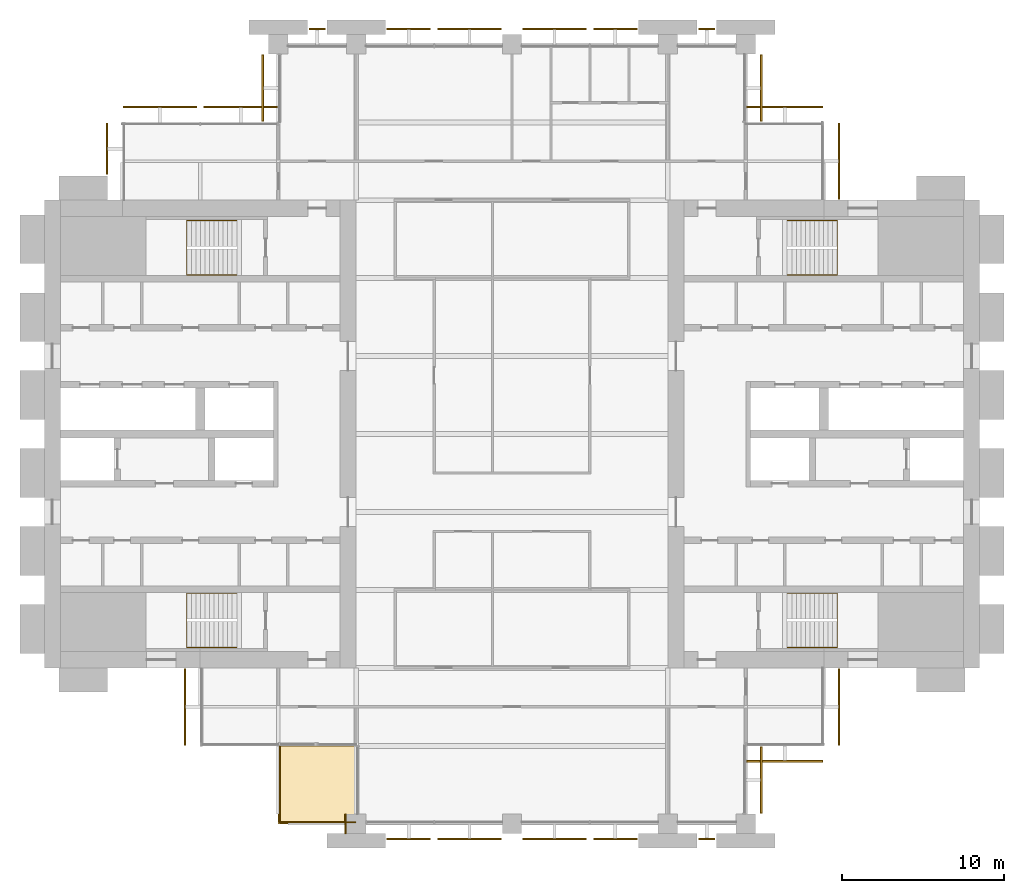
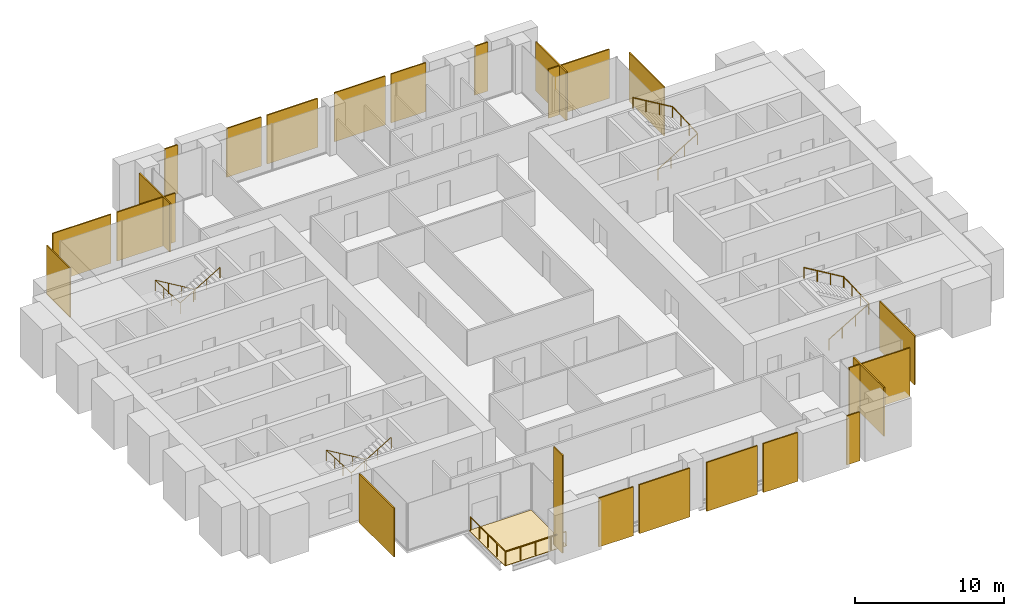
# One storey, part 14 of 14: 24 coverings, 5 railings.
"""IFC4 building model written with IfcOpenShell, lengths in metres."""

from ifc_helpers import new_model, si_unit, direction, frame, origin, origin_2d, place, context, subcontext, project, spatial, polyline, rectangle, circle, outline, extrude, material, layer, layer_set, type_object, element, save


model = new_model("IFC4")

# Units and contexts
model_context = context("Model", 3, precision=1e-05, world=origin(), true_north=direction((0.0, 1.0)))
body_context = subcontext(model_context, "Body", "Model", "MODEL_VIEW")
ifc_project = project(units=[si_unit("LENGTHUNIT", "METRE"), si_unit("AREAUNIT", "SQUARE_METRE"), si_unit("VOLUMEUNIT", "CUBIC_METRE"), si_unit("PLANEANGLEUNIT", "RADIAN"), si_unit("MASSUNIT", "GRAM", prefix="KILO")], contexts=[model_context])

# Site, building, storey
site_placement = place(None, origin())
site = spatial("IfcSite", under=ifc_project, at=site_placement, CompositionType="ELEMENT")
building_placement = place(site_placement, origin())
building = spatial("IfcBuilding", under=site, at=building_placement, Name="Baori Bourse Tower", CompositionType="ELEMENT")
storey_placement = place(building_placement, frame((0.0, 0.0, 148.10009765625)))
storey = spatial("IfcBuildingStorey", under=building, at=storey_placement, Name="L32", CompositionType="ELEMENT", Elevation=148.10009765625)

# Railings
ifc_material_1 = material(Name="Powder-coated steel balustrade", Category="steel")
railing_type_1 = type_object("IfcRailingType", Name="Core stair handrail", PredefinedType="HANDRAIL", material=ifc_material_1)
railing_1_placement = place(storey_placement, frame((11.85009765625, 14.199951171875, 0.16650390625)))
element("IfcRailing", 1, at=railing_1_placement, inside=storey, type_object=railing_type_1, Name="L32 ST1 stair handrail 1", PredefinedType="HANDRAIL", context=body_context, shape_type="SweptSolid", body=[
    extrude(circle(Radius=0.02392578125, at=origin_2d()), frame((0.0, 0.0, 0.8759765625), z_axis=(-0.85927862911, 0.0, 0.511507807912), x_axis=(0.0, -1.0, 0.0)), (0.0, 0.0, 1.0), 3.58447265625),
    extrude(circle(Radius=0.02392578125, at=origin_2d()), frame((-3.080078125, 0.0, 2.70947265625), z_axis=(0.0, -0.998766999029, 0.049643545903), x_axis=(1.0, 0.0, 0.0)), (0.0, 0.0, 1.0), 3.35400390625),
    extrude(circle(Radius=0.02392578125, at=origin_2d()), frame((-3.080078125, -3.349853515625, 2.8759765625), z_axis=(0.85927862911, 0.0, 0.511507807912), x_axis=(0.0, 1.0, 0.0)), (0.0, 0.0, 1.0), 3.58447265625),
    extrude(circle(Radius=0.02099609375, at=origin_2d()), origin(), (0.0, 0.0, 1.0), 0.851806640625),
    extrude(circle(Radius=0.02099609375, at=origin_2d()), frame((-1.026611328125, 0.0, 0.611083984375)), (0.0, 0.0, 1.0), 0.851806640625),
    extrude(circle(Radius=0.02099609375, at=origin_2d()), frame((-2.053466796875, 0.0, 1.222412109375)), (0.0, 0.0, 1.0), 0.851806640625),
    extrude(circle(Radius=0.02099609375, at=origin_2d()), frame((-3.080078125, 0.0, 1.83349609375)), (0.0, 0.0, 1.0), 0.851806640625),
    extrude(circle(Radius=0.02099609375, at=origin_2d()), frame((-3.080078125, -1.11669921875, 1.888916015625)), (0.0, 0.0, 1.0), 0.851806640625),
    extrude(circle(Radius=0.02099609375, at=origin_2d()), frame((-3.080078125, -2.233154296875, 1.944580078125)), (0.0, 0.0, 1.0), 0.851806640625),
    extrude(circle(Radius=0.02099609375, at=origin_2d()), frame((-3.080078125, -3.349853515625, 2.0)), (0.0, 0.0, 1.0), 0.851806640625),
    extrude(circle(Radius=0.02099609375, at=origin_2d()), frame((-2.053466796875, -3.349853515625, 2.611083984375)), (0.0, 0.0, 1.0), 0.851806640625),
    extrude(circle(Radius=0.02099609375, at=origin_2d()), frame((-1.026611328125, -3.349853515625, 3.222412109375)), (0.0, 0.0, 1.0), 0.851806640625),
    extrude(circle(Radius=0.02099609375, at=origin_2d()), frame((0.0, -3.349853515625, 3.83349609375)), (0.0, 0.0, 1.0), 0.851806640625),
])
railing_2_placement = place(storey_placement, frame((11.85009765625, 37.14990234375, 0.16650390625)))
element("IfcRailing", 2, at=railing_2_placement, inside=storey, type_object=railing_type_1, Name="L32 ST2 stair handrail 1", PredefinedType="HANDRAIL", context=body_context, shape_type="SweptSolid", body=[
    extrude(circle(Radius=0.02392578125, at=origin_2d()), frame((0.0, 0.0, 0.8759765625), z_axis=(-0.85927862911, 0.0, 0.511507807912), x_axis=(0.0, -1.0, 0.0)), (0.0, 0.0, 1.0), 3.58447265625),
    extrude(circle(Radius=0.02392578125, at=origin_2d()), frame((-3.080078125, 0.0, 2.70947265625), z_axis=(0.0, -0.998766999029, 0.049643545903), x_axis=(1.0, 0.0, 0.0)), (0.0, 0.0, 1.0), 3.35400390625),
    extrude(circle(Radius=0.02392578125, at=origin_2d()), frame((-3.080078125, -3.349853515625, 2.8759765625), z_axis=(0.85927862911, 0.0, 0.511507807912), x_axis=(0.0, 1.0, 0.0)), (0.0, 0.0, 1.0), 3.58447265625),
    extrude(circle(Radius=0.02099609375, at=origin_2d()), origin(), (0.0, 0.0, 1.0), 0.851806640625),
    extrude(circle(Radius=0.02099609375, at=origin_2d()), frame((-1.026611328125, 0.0, 0.611083984375)), (0.0, 0.0, 1.0), 0.851806640625),
    extrude(circle(Radius=0.02099609375, at=origin_2d()), frame((-2.053466796875, 0.0, 1.222412109375)), (0.0, 0.0, 1.0), 0.851806640625),
    extrude(circle(Radius=0.02099609375, at=origin_2d()), frame((-3.080078125, 0.0, 1.83349609375)), (0.0, 0.0, 1.0), 0.851806640625),
    extrude(circle(Radius=0.02099609375, at=origin_2d()), frame((-3.080078125, -1.11669921875, 1.888916015625)), (0.0, 0.0, 1.0), 0.851806640625),
    extrude(circle(Radius=0.02099609375, at=origin_2d()), frame((-3.080078125, -2.233154296875, 1.944580078125)), (0.0, 0.0, 1.0), 0.851806640625),
    extrude(circle(Radius=0.02099609375, at=origin_2d()), frame((-3.080078125, -3.349853515625, 2.0)), (0.0, 0.0, 1.0), 0.851806640625),
    extrude(circle(Radius=0.02099609375, at=origin_2d()), frame((-2.053466796875, -3.349853515625, 2.611083984375)), (0.0, 0.0, 1.0), 0.851806640625),
    extrude(circle(Radius=0.02099609375, at=origin_2d()), frame((-1.026611328125, -3.349853515625, 3.222412109375)), (0.0, 0.0, 1.0), 0.851806640625),
    extrude(circle(Radius=0.02099609375, at=origin_2d()), frame((0.0, -3.349853515625, 3.83349609375)), (0.0, 0.0, 1.0), 0.851806640625),
])
railing_3_placement = place(storey_placement, frame((45.75, 10.85009765625, 0.16650390625)))
element("IfcRailing", 3, at=railing_3_placement, inside=storey, type_object=railing_type_1, Name="L32 ST3 stair handrail 1", PredefinedType="HANDRAIL", context=body_context, shape_type="SweptSolid", body=[
    extrude(circle(Radius=0.02392578125, at=origin_2d()), frame((0.0, 0.0, 0.8759765625), z_axis=(0.85927862911, 0.0, 0.511507807912), x_axis=(0.0, 1.0, 0.0)), (0.0, 0.0, 1.0), 3.58447265625),
    extrude(circle(Radius=0.02392578125, at=origin_2d()), frame((3.080078125, 0.0, 2.70947265625), z_axis=(0.0, 0.998766999029, 0.049643545903), x_axis=(-1.0, 0.0, 0.0)), (0.0, 0.0, 1.0), 3.35400390625),
    extrude(circle(Radius=0.02392578125, at=origin_2d()), frame((3.080078125, 3.349853515625, 2.8759765625), z_axis=(-0.85927862911, 0.0, 0.511507807912), x_axis=(0.0, -1.0, 0.0)), (0.0, 0.0, 1.0), 3.58447265625),
    extrude(circle(Radius=0.02099609375, at=origin_2d()), origin(), (0.0, 0.0, 1.0), 0.851806640625),
    extrude(circle(Radius=0.02099609375, at=origin_2d()), frame((1.026611328125, 0.0, 0.611083984375)), (0.0, 0.0, 1.0), 0.851806640625),
    extrude(circle(Radius=0.02099609375, at=origin_2d()), frame((2.053466796875, 0.0, 1.222412109375)), (0.0, 0.0, 1.0), 0.851806640625),
    extrude(circle(Radius=0.02099609375, at=origin_2d()), frame((3.080078125, 0.0, 1.83349609375)), (0.0, 0.0, 1.0), 0.851806640625),
    extrude(circle(Radius=0.02099609375, at=origin_2d()), frame((3.080078125, 1.11669921875, 1.888916015625)), (0.0, 0.0, 1.0), 0.851806640625),
    extrude(circle(Radius=0.02099609375, at=origin_2d()), frame((3.080078125, 2.233154296875, 1.944580078125)), (0.0, 0.0, 1.0), 0.851806640625),
    extrude(circle(Radius=0.02099609375, at=origin_2d()), frame((3.080078125, 3.349853515625, 2.0)), (0.0, 0.0, 1.0), 0.851806640625),
    extrude(circle(Radius=0.02099609375, at=origin_2d()), frame((2.053466796875, 3.349853515625, 2.611083984375)), (0.0, 0.0, 1.0), 0.851806640625),
    extrude(circle(Radius=0.02099609375, at=origin_2d()), frame((1.026611328125, 3.349853515625, 3.222412109375)), (0.0, 0.0, 1.0), 0.851806640625),
    extrude(circle(Radius=0.02099609375, at=origin_2d()), frame((0.0, 3.349853515625, 3.83349609375)), (0.0, 0.0, 1.0), 0.851806640625),
])
railing_4_placement = place(storey_placement, frame((45.75, 33.800048828125, 0.16650390625)))
element("IfcRailing", 4, at=railing_4_placement, inside=storey, type_object=railing_type_1, Name="L32 ST4 stair handrail 1", PredefinedType="HANDRAIL", context=body_context, shape_type="SweptSolid", body=[
    extrude(circle(Radius=0.02392578125, at=origin_2d()), frame((0.0, 0.0, 0.8759765625), z_axis=(0.85927862911, 0.0, 0.511507807912), x_axis=(0.0, 1.0, 0.0)), (0.0, 0.0, 1.0), 3.58447265625),
    extrude(circle(Radius=0.02392578125, at=origin_2d()), frame((3.080078125, 0.0, 2.70947265625), z_axis=(0.0, 0.998766999029, 0.049643545903), x_axis=(-1.0, 0.0, 0.0)), (0.0, 0.0, 1.0), 3.35400390625),
    extrude(circle(Radius=0.02392578125, at=origin_2d()), frame((3.080078125, 3.349853515625, 2.8759765625), z_axis=(-0.85927862911, 0.0, 0.511507807912), x_axis=(0.0, -1.0, 0.0)), (0.0, 0.0, 1.0), 3.58447265625),
    extrude(circle(Radius=0.02099609375, at=origin_2d()), origin(), (0.0, 0.0, 1.0), 0.851806640625),
    extrude(circle(Radius=0.02099609375, at=origin_2d()), frame((1.026611328125, 0.0, 0.611083984375)), (0.0, 0.0, 1.0), 0.851806640625),
    extrude(circle(Radius=0.02099609375, at=origin_2d()), frame((2.053466796875, 0.0, 1.222412109375)), (0.0, 0.0, 1.0), 0.851806640625),
    extrude(circle(Radius=0.02099609375, at=origin_2d()), frame((3.080078125, 0.0, 1.83349609375)), (0.0, 0.0, 1.0), 0.851806640625),
    extrude(circle(Radius=0.02099609375, at=origin_2d()), frame((3.080078125, 1.11669921875, 1.888916015625)), (0.0, 0.0, 1.0), 0.851806640625),
    extrude(circle(Radius=0.02099609375, at=origin_2d()), frame((3.080078125, 2.233154296875, 1.944580078125)), (0.0, 0.0, 1.0), 0.851806640625),
    extrude(circle(Radius=0.02099609375, at=origin_2d()), frame((3.080078125, 3.349853515625, 2.0)), (0.0, 0.0, 1.0), 0.851806640625),
    extrude(circle(Radius=0.02099609375, at=origin_2d()), frame((2.053466796875, 3.349853515625, 2.611083984375)), (0.0, 0.0, 1.0), 0.851806640625),
    extrude(circle(Radius=0.02099609375, at=origin_2d()), frame((1.026611328125, 3.349853515625, 3.222412109375)), (0.0, 0.0, 1.0), 0.851806640625),
    extrude(circle(Radius=0.02099609375, at=origin_2d()), frame((0.0, 3.349853515625, 3.83349609375)), (0.0, 0.0, 1.0), 0.851806640625),
])
ifc_material_2 = material(Name="Stainless steel", Category="steel")
railing_type_2 = type_object("IfcRailingType", Name="GD1 Guard", PredefinedType="GUARDRAIL", material=ifc_material_2)
railing_5_placement = place(storey_placement, frame((19.169921875, 0.10009765625, 0.039794921875)))
element("IfcRailing", 5, at=railing_5_placement, inside=storey, type_object=railing_type_2, Name="Guard terrace SW L32 1", PredefinedType="GUARDRAIL", context=body_context, shape_type="SweptSolid", body=[
    extrude(circle(Radius=0.02392578125, at=origin_2d()), frame((0.0, 0.0, 1.076171875), z_axis=(-1.0, 0.0, 0.0), x_axis=(0.0, -1.0, 0.0)), (0.0, 0.0, 1.0), 4.669921875),
    extrude(circle(Radius=0.02392578125, at=origin_2d()), frame((-4.669921875, 0.0, 1.076171875), z_axis=(0.0, 1.0, 0.0), x_axis=(-1.0, 0.0, 0.0)), (0.0, 0.0, 1.0), 4.669921875),
    extrude(circle(Radius=0.02099609375, at=origin_2d()), origin(), (0.0, 0.0, 1.0), 1.052001953125),
    extrude(circle(Radius=0.02099609375, at=origin_2d()), frame((-1.16748046875, 0.0, 0.0)), (0.0, 0.0, 1.0), 1.052001953125),
    extrude(circle(Radius=0.02099609375, at=origin_2d()), frame((-2.3349609375, 0.0, 0.0)), (0.0, 0.0, 1.0), 1.052001953125),
    extrude(circle(Radius=0.02099609375, at=origin_2d()), frame((-3.50244140625, 0.0, 0.0)), (0.0, 0.0, 1.0), 1.052001953125),
    extrude(circle(Radius=0.02099609375, at=origin_2d()), frame((-4.669921875, 0.0, 0.0)), (0.0, 0.0, 1.0), 1.052001953125),
    extrude(circle(Radius=0.02099609375, at=origin_2d()), frame((-4.669921875, 1.16748046875, 0.0)), (0.0, 0.0, 1.0), 1.052001953125),
    extrude(circle(Radius=0.02099609375, at=origin_2d()), frame((-4.669921875, 2.3349609375, 0.0)), (0.0, 0.0, 1.0), 1.052001953125),
    extrude(circle(Radius=0.02099609375, at=origin_2d()), frame((-4.669921875, 3.50244140625, 0.0)), (0.0, 0.0, 1.0), 1.052001953125),
    extrude(circle(Radius=0.02099609375, at=origin_2d()), frame((-4.669921875, 4.669921875, 0.0)), (0.0, 0.0, 1.0), 1.052001953125),
])

# Coverings
ifc_material_3 = material(Name="Pale anodised aluminium", Category="aluminium")
ifc_layer_1 = layer(ifc_material_3, 0.10009765625)
ifc_layer_set_1 = layer_set([ifc_layer_1], Name="OS3 Outer skin screen panel")
covering_type_1 = type_object("IfcCoveringType", Name="OS3 Outer skin screen panel", PredefinedType="CLADDING", material=ifc_layer_set_1)
covering_1_placement = place(storey_placement, frame((0.0, 0.0, -0.16015625)))
element("IfcCovering", 6, at=covering_1_placement, inside=storey, type_object=covering_type_1, Name="Outer skin screen L32 1", PredefinedType="CLADDING", context=body_context, shape_type="SweptSolid", body=[
    extrude(outline(polyline([(48.89990234375, 43.14990234375), (48.89990234375, 38.449951171875), (49.0, 38.449951171875), (49.0, 43.14990234375), (48.89990234375, 43.14990234375)])), origin(), (0.0, 0.0, 1.0), 4.0),
])
covering_2_placement = place(storey_placement, frame((0.0, 0.0, -0.16015625)))
element("IfcCovering", 7, at=covering_2_placement, inside=storey, type_object=covering_type_1, Name="Outer skin screen L32 2", PredefinedType="CLADDING", context=body_context, shape_type="SweptSolid", body=[
    extrude(outline(polyline([(43.25, 44.10009765625), (47.949951171875, 44.10009765625), (47.949951171875, 44.199951171875), (43.25, 44.199951171875), (43.25, 44.10009765625)])), origin(), (0.0, 0.0, 1.0), 4.0),
])
covering_3_placement = place(storey_placement, frame((0.0, 0.0, -0.16015625)))
element("IfcCovering", 8, at=covering_3_placement, inside=storey, type_object=covering_type_1, Name="Outer skin screen L32 3", PredefinedType="CLADDING", context=body_context, shape_type="SweptSolid", body=[
    extrude(outline(polyline([(44.10009765625, 47.35009765625), (44.10009765625, 43.25), (44.199951171875, 43.25), (44.199951171875, 47.35009765625), (44.10009765625, 47.35009765625)])), origin(), (0.0, 0.0, 1.0), 4.0),
])
covering_4_placement = place(storey_placement, frame((0.0, 0.0, -0.16015625)))
element("IfcCovering", 9, at=covering_4_placement, inside=storey, type_object=covering_type_1, Name="Outer skin screen L32 4", PredefinedType="CLADDING", context=body_context, shape_type="SweptSolid", body=[
    extrude(outline(polyline([(40.300048828125, 48.89990234375), (41.300048828125, 48.89990234375), (41.300048828125, 49.0), (40.300048828125, 49.0), (40.300048828125, 48.89990234375)])), origin(), (0.0, 0.0, 1.0), 4.0),
])
covering_5_placement = place(storey_placement, frame((0.0, 0.0, -0.16015625)))
element("IfcCovering", 10, at=covering_5_placement, inside=storey, type_object=covering_type_1, Name="Outer skin screen L32 5", PredefinedType="CLADDING", context=body_context, shape_type="SweptSolid", body=[
    extrude(outline(polyline([(33.824951171875, 48.89990234375), (36.5, 48.89990234375), (36.5, 49.0), (33.824951171875, 49.0), (33.824951171875, 48.89990234375)])), origin(), (0.0, 0.0, 1.0), 4.0),
])
covering_6_placement = place(storey_placement, frame((0.0, 0.0, -0.16015625)))
element("IfcCovering", 11, at=covering_6_placement, inside=storey, type_object=covering_type_1, Name="Outer skin screen L32 6", PredefinedType="CLADDING", context=body_context, shape_type="SweptSolid", body=[
    extrude(outline(polyline([(29.449951171875, 48.89990234375), (33.375, 48.89990234375), (33.375, 49.0), (29.449951171875, 49.0), (29.449951171875, 48.89990234375)])), origin(), (0.0, 0.0, 1.0), 4.0),
])
covering_7_placement = place(storey_placement, frame((0.0, 0.0, -0.16015625)))
element("IfcCovering", 12, at=covering_7_placement, inside=storey, type_object=covering_type_1, Name="Outer skin screen L32 7", PredefinedType="CLADDING", context=body_context, shape_type="SweptSolid", body=[
    extrude(outline(polyline([(24.22509765625, 48.89990234375), (28.14990234375, 48.89990234375), (28.14990234375, 49.0), (24.22509765625, 49.0), (24.22509765625, 48.89990234375)])), origin(), (0.0, 0.0, 1.0), 4.0),
])
covering_8_placement = place(storey_placement, frame((0.0, 0.0, -0.16015625)))
element("IfcCovering", 13, at=covering_8_placement, inside=storey, type_object=covering_type_1, Name="Outer skin screen L32 8", PredefinedType="CLADDING", context=body_context, shape_type="SweptSolid", body=[
    extrude(outline(polyline([(21.10009765625, 48.89990234375), (23.77490234375, 48.89990234375), (23.77490234375, 49.0), (21.10009765625, 49.0), (21.10009765625, 48.89990234375)])), origin(), (0.0, 0.0, 1.0), 4.0),
])
covering_9_placement = place(storey_placement, frame((0.0, 0.0, -0.16015625)))
element("IfcCovering", 14, at=covering_9_placement, inside=storey, type_object=covering_type_1, Name="Outer skin screen L32 9", PredefinedType="CLADDING", context=body_context, shape_type="SweptSolid", body=[
    extrude(outline(polyline([(16.300048828125, 48.89990234375), (17.300048828125, 48.89990234375), (17.300048828125, 49.0), (16.300048828125, 49.0), (16.300048828125, 48.89990234375)])), origin(), (0.0, 0.0, 1.0), 4.0),
])
covering_10_placement = place(storey_placement, frame((0.0, 0.0, -0.16015625)))
element("IfcCovering", 15, at=covering_10_placement, inside=storey, type_object=covering_type_1, Name="Outer skin screen L32 10", PredefinedType="CLADDING", context=body_context, shape_type="SweptSolid", body=[
    extrude(outline(polyline([(13.5, 43.25), (13.5, 47.35009765625), (13.39990234375, 47.35009765625), (13.39990234375, 43.25), (13.5, 43.25)])), origin(), (0.0, 0.0, 1.0), 4.0),
])
covering_11_placement = place(storey_placement, frame((0.0, 0.0, -0.16015625)))
element("IfcCovering", 16, at=covering_11_placement, inside=storey, type_object=covering_type_1, Name="Outer skin screen L32 11", PredefinedType="CLADDING", context=body_context, shape_type="SweptSolid", body=[
    extrude(outline(polyline([(9.824951171875, 44.10009765625), (14.35009765625, 44.10009765625), (14.35009765625, 44.199951171875), (9.824951171875, 44.199951171875), (9.824951171875, 44.10009765625)])), origin(), (0.0, 0.0, 1.0), 4.0),
])
covering_12_placement = place(storey_placement, frame((0.0, 0.0, -0.16015625)))
element("IfcCovering", 17, at=covering_12_placement, inside=storey, type_object=covering_type_1, Name="Outer skin screen L32 12", PredefinedType="CLADDING", context=body_context, shape_type="SweptSolid", body=[
    extrude(outline(polyline([(4.85009765625, 44.10009765625), (9.375, 44.10009765625), (9.375, 44.199951171875), (4.85009765625, 44.199951171875), (4.85009765625, 44.10009765625)])), origin(), (0.0, 0.0, 1.0), 4.0),
])
covering_13_placement = place(storey_placement, frame((0.0, 0.0, -0.16015625)))
element("IfcCovering", 18, at=covering_13_placement, inside=storey, type_object=covering_type_1, Name="Outer skin screen L32 13", PredefinedType="CLADDING", context=body_context, shape_type="SweptSolid", body=[
    extrude(outline(polyline([(3.89990234375, 40.0), (3.89990234375, 43.14990234375), (3.800048828125, 43.14990234375), (3.800048828125, 40.0), (3.89990234375, 40.0), (3.89990234375, 40.0)])), origin(), (0.0, 0.0, 1.0), 4.0),
])
covering_14_placement = place(storey_placement, frame((0.0, 0.0, -0.16015625)))
element("IfcCovering", 19, at=covering_14_placement, inside=storey, type_object=covering_type_1, Name="Outer skin screen L32 14", PredefinedType="CLADDING", context=body_context, shape_type="SweptSolid", body=[
    extrude(outline(polyline([(8.699951171875, 4.85009765625), (8.699951171875, 9.550048828125), (8.60009765625, 9.550048828125), (8.60009765625, 4.85009765625), (8.699951171875, 4.85009765625)])), origin(), (0.0, 0.0, 1.0), 4.0),
])
covering_15_placement = place(storey_placement, frame((0.0, 0.0, -0.16015625)))
element("IfcCovering", 20, at=covering_15_placement, inside=storey, type_object=covering_type_1, Name="Outer skin screen L32 15", PredefinedType="CLADDING", context=body_context, shape_type="SweptSolid", body=[
    extrude(outline(polyline([(23.77490234375, -0.89990234375), (21.10009765625, -0.89990234375), (21.10009765625, -1.0), (23.77490234375, -1.0), (23.77490234375, -0.89990234375)])), origin(), (0.0, 0.0, 1.0), 4.0),
])
covering_16_placement = place(storey_placement, frame((0.0, 0.0, -0.16015625)))
element("IfcCovering", 21, at=covering_16_placement, inside=storey, type_object=covering_type_1, Name="Outer skin screen L32 16", PredefinedType="CLADDING", context=body_context, shape_type="SweptSolid", body=[
    extrude(outline(polyline([(28.14990234375, -0.89990234375), (24.22509765625, -0.89990234375), (24.22509765625, -1.0), (28.14990234375, -1.0), (28.14990234375, -0.89990234375)])), origin(), (0.0, 0.0, 1.0), 4.0),
])
covering_17_placement = place(storey_placement, frame((0.0, 0.0, -0.16015625)))
element("IfcCovering", 22, at=covering_17_placement, inside=storey, type_object=covering_type_1, Name="Outer skin screen L32 17", PredefinedType="CLADDING", context=body_context, shape_type="SweptSolid", body=[
    extrude(outline(polyline([(33.375, -0.89990234375), (29.449951171875, -0.89990234375), (29.449951171875, -1.0), (33.375, -1.0), (33.375, -0.89990234375)])), origin(), (0.0, 0.0, 1.0), 4.0),
])
covering_18_placement = place(storey_placement, frame((0.0, 0.0, -0.16015625)))
element("IfcCovering", 23, at=covering_18_placement, inside=storey, type_object=covering_type_1, Name="Outer skin screen L32 18", PredefinedType="CLADDING", context=body_context, shape_type="SweptSolid", body=[
    extrude(outline(polyline([(36.5, -0.89990234375), (33.824951171875, -0.89990234375), (33.824951171875, -1.0), (36.5, -1.0), (36.5, -0.89990234375)])), origin(), (0.0, 0.0, 1.0), 4.0),
])
covering_19_placement = place(storey_placement, frame((0.0, 0.0, -0.16015625)))
element("IfcCovering", 24, at=covering_19_placement, inside=storey, type_object=covering_type_1, Name="Outer skin screen L32 19", PredefinedType="CLADDING", context=body_context, shape_type="SweptSolid", body=[
    extrude(outline(polyline([(41.300048828125, -0.89990234375), (40.300048828125, -0.89990234375), (40.300048828125, -1.0), (41.300048828125, -1.0), (41.300048828125, -0.89990234375)])), origin(), (0.0, 0.0, 1.0), 4.0),
])
covering_20_placement = place(storey_placement, frame((0.0, 0.0, -0.16015625)))
element("IfcCovering", 25, at=covering_20_placement, inside=storey, type_object=covering_type_1, Name="Outer skin screen L32 20", PredefinedType="CLADDING", context=body_context, shape_type="SweptSolid", body=[
    extrude(outline(polyline([(44.10009765625, 4.75), (44.10009765625, 0.64990234375), (44.199951171875, 0.64990234375), (44.199951171875, 4.75), (44.10009765625, 4.75)])), origin(), (0.0, 0.0, 1.0), 4.0),
])
covering_21_placement = place(storey_placement, frame((0.0, 0.0, -0.16015625)))
element("IfcCovering", 26, at=covering_21_placement, inside=storey, type_object=covering_type_1, Name="Outer skin screen L32 21", PredefinedType="CLADDING", context=body_context, shape_type="SweptSolid", body=[
    extrude(outline(polyline([(47.949951171875, 3.89990234375), (43.25, 3.89990234375), (43.25, 3.800048828125), (47.949951171875, 3.800048828125), (47.949951171875, 3.89990234375)])), origin(), (0.0, 0.0, 1.0), 4.0),
])
covering_22_placement = place(storey_placement, frame((0.0, 0.0, -0.16015625)))
element("IfcCovering", 27, at=covering_22_placement, inside=storey, type_object=covering_type_1, Name="Outer skin screen L32 22", PredefinedType="CLADDING", context=body_context, shape_type="SweptSolid", body=[
    extrude(outline(polyline([(48.89990234375, 9.550048828125), (48.89990234375, 4.85009765625), (49.0, 4.85009765625), (49.0, 9.550048828125), (48.89990234375, 9.550048828125)])), origin(), (0.0, 0.0, 1.0), 4.0),
])
ifc_material_4 = material(Name="Face brick", Category="masonry")
ifc_layer_2 = layer(ifc_material_4, 0.110107421875)
ifc_layer_set_2 = layer_set([ifc_layer_2], Name="PC1 Brick pier facing")
covering_type_2 = type_object("IfcCoveringType", Name="PC1 Brick pier facing", PredefinedType="CLADDING", material=ifc_layer_set_2)
covering_23_placement = place(storey_placement, frame((18.544921875, 0.0, 0.0), z_axis=(0.0, 0.0, 1.0), x_axis=(1.0, 0.0, 0.0)))
element("IfcCovering", 28, at=covering_23_placement, inside=storey, type_object=covering_type_2, Name="Brick pier facing L32 1", PredefinedType="CLADDING", context=body_context, shape_type="SweptSolid", body=[
    extrude(rectangle(XDim=0.110107421875, YDim=1.199951171875, at=origin_2d()), origin(), (0.0, 0.0, 1.0), 8.0),
])
ifc_material_5 = material(Name="Granite paving", Category="masonry")
ifc_layer_3 = layer(ifc_material_5, 0.0400390625)
ifc_layer_set_3 = layer_set([ifc_layer_3], Name="PV1 Deck paving")
covering_type_3 = type_object("IfcCoveringType", Name="PV1 Deck paving", PredefinedType="FLOORING", material=ifc_layer_set_3)
covering_24_placement = place(storey_placement, origin())
element("IfcCovering", 29, at=covering_24_placement, inside=storey, type_object=covering_type_3, Name="Terrace paving L32 1", PredefinedType="FLOORING", context=body_context, shape_type="SweptSolid", body=[
    extrude(outline(polyline([(19.199951171875, 4.800048828125), (14.39990234375, 4.800048828125), (14.39990234375, 0.0), (19.199951171875, 0.0), (19.199951171875, 4.800048828125)])), origin(), (0.0, 0.0, 1.0), 0.039794921875),
])

save(model, "model.ifc")
